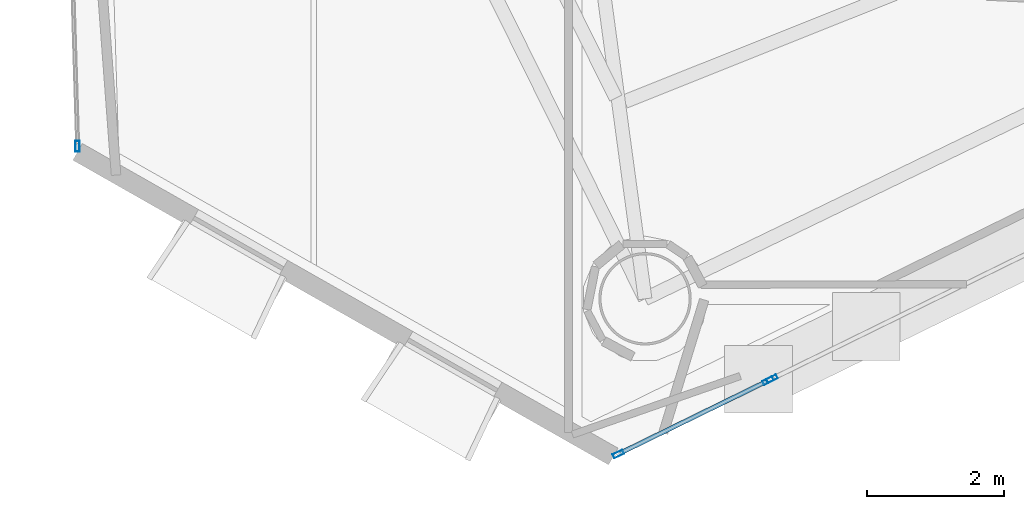
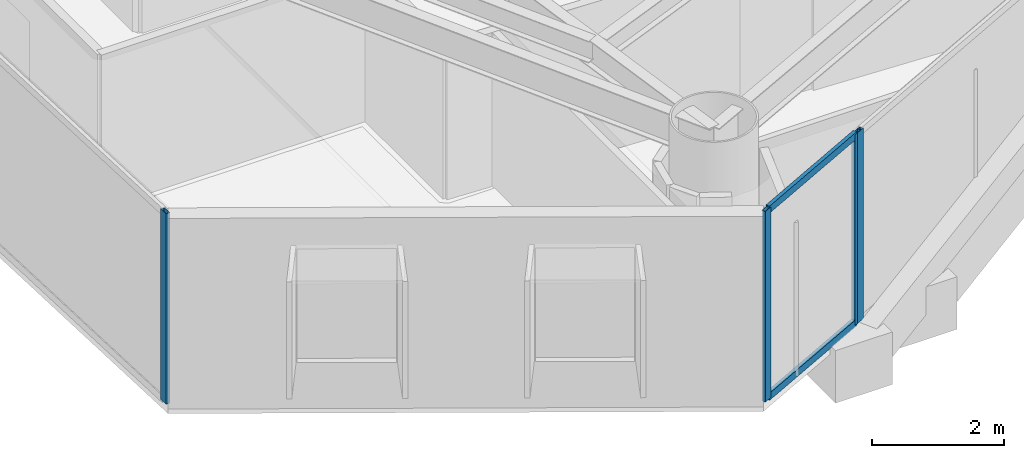
# One storey, part 2 of 22: 6 members, 3 elements without a shape of their own.
"""IFC4 building model written with IfcOpenShell, lengths in metres."""

from ifc_helpers import new_model, si_unit, direction, frame, origin, origin_2d, place, context, subcontext, project, spatial, hollow_rectangle, extrude, material, layer, layer_set, material_profile, profile_set, type_object, element, aggregate, save


model = new_model("IFC4")

# Units and contexts
model_context = context("Model", 3, precision=1e-05, world=origin(), true_north=direction((0.0, 1.0)))
body_context = subcontext(model_context, "Body", "Model", "MODEL_VIEW")
ifc_project = project(units=[si_unit("LENGTHUNIT", "METRE"), si_unit("AREAUNIT", "SQUARE_METRE"), si_unit("VOLUMEUNIT", "CUBIC_METRE"), si_unit("PLANEANGLEUNIT", "RADIAN"), si_unit("MASSUNIT", "GRAM", prefix="KILO")], contexts=[model_context])

# Site, building, storey
site_placement = place(None, origin())
site = spatial("IfcSite", under=ifc_project, at=site_placement, CompositionType="ELEMENT")
building_placement = place(site_placement, origin())
building = spatial("IfcBuilding", under=site, at=building_placement, Name="Qianvela Tower", CompositionType="ELEMENT")
storey_placement = place(building_placement, frame((0.0, 0.0, 155.0)))
storey = spatial("IfcBuildingStorey", under=building, at=storey_placement, Name="L39", CompositionType="ELEMENT", Elevation=155.0)

# Curtain wall, member
ifc_material_1 = material(Name="Anodised Architectural Aluminium and Insulated Spandrel Panel", Category="aluminium")
ifc_layer_1 = layer(ifc_material_1, 0.179931640625)
ifc_layer_set_1 = layer_set([ifc_layer_1], Name="Anodised Architectural Aluminium and Insulated Spandrel Panel")
curtain_wall_type_1 = type_object("IfcCurtainWallType", Name="CW-BRACEBAY", PredefinedType="USERDEFINED", material=ifc_layer_set_1)
curtain_wall_1_placement = place(storey_placement, origin())
curtain_wall_1 = element("IfcCurtainWall", 1, at=curtain_wall_1_placement, inside=storey, type_object=curtain_wall_type_1, Name="L39 CW-BRACEBAY Curtain Wall 06B", ObjectType="CURTAIN_WALL_SYSTEM", PredefinedType="USERDEFINED")
ifc_material_2 = material(Name="Anodised Architectural Aluminium 6063-T6", Category="aluminium")
ifc_material_profile_1 = material_profile(ifc_material_2, hollow_rectangle(XDim=0.06494140625, YDim=0.159912109375, WallThickness=0.0048828125, at=origin_2d()), Name="ALU-MULL-65x160")
ifc_profile_set_1 = profile_set([ifc_material_profile_1], Name="Anodised Architectural Aluminium 6063-T6")
member_type_1 = type_object("IfcMemberType", Name="CW-BRACEBAY-MULL", PredefinedType="MULLION", material=ifc_profile_set_1)
member_1_placement = place(storey_placement, frame((32.2021484375, 9.74169921875, 0.0), z_axis=(0.0, 0.0, 1.0), x_axis=(-0.440141010415, 0.897928666961, 0.0)))
member_1 = element("IfcMember", 2, at=member_1_placement, type_object=member_type_1, Name="CW-9 mullion 1", PredefinedType="MULLION", context=body_context, shape_type="SweptSolid", body=[
    extrude(hollow_rectangle(XDim=0.06494140625, YDim=0.159912109375, WallThickness=0.0048828125, at=origin_2d()), origin(), (0.0, 0.0, 1.0), 3.52001953125),
])
aggregate(curtain_wall_1, [member_1])

ifc_material_3 = material(Name="Anodised Architectural Aluminium and Low-E Glass", Category="aluminium")
ifc_layer_2 = layer(ifc_material_3, 0.169921875)
ifc_layer_set_2 = layer_set([ifc_layer_2], Name="Anodised Architectural Aluminium and Low-E Glass")
curtain_wall_type_2 = type_object("IfcCurtainWallType", Name="CW-COLIV-Z34", PredefinedType="USERDEFINED", material=ifc_layer_set_2)
curtain_wall_2_placement = place(storey_placement, origin())
curtain_wall_2 = element("IfcCurtainWall", 3, at=curtain_wall_2_placement, inside=storey, type_object=curtain_wall_type_2, Name="L39 CW-COLIV-Z34 Curtain Wall 04C", ObjectType="CURTAIN_WALL_SYSTEM", PredefinedType="USERDEFINED")
ifc_material_4 = material(Name="Anodised Architectural Aluminium 6063-T6", Category="aluminium")
ifc_material_profile_2 = material_profile(ifc_material_4, hollow_rectangle(XDim=0.06494140625, YDim=0.159912109375, WallThickness=0.0048828125, at=origin_2d()), Name="ALU-MULL-65x160")
ifc_profile_set_2 = profile_set([ifc_material_profile_2], Name="Anodised Architectural Aluminium 6063-T6")
member_type_2 = type_object("IfcMemberType", Name="CW-COLIV-Z34-MULL", PredefinedType="MULLION", material=ifc_profile_set_2)
member_2_placement = place(storey_placement, frame((22.053955078125, 13.138671875, 0.0), z_axis=(0.0, 0.0, 1.0), x_axis=(0.999528047794, 0.030719402241, 0.0)))
member_2 = element("IfcMember", 4, at=member_2_placement, type_object=member_type_2, Name="CW-4 mullion 2", PredefinedType="MULLION", context=body_context, shape_type="SweptSolid", body=[
    extrude(hollow_rectangle(XDim=0.06494140625, YDim=0.159912109375, WallThickness=0.0048828125, at=origin_2d()), origin(), (0.0, 0.0, 1.0), 3.52001953125),
])
aggregate(curtain_wall_2, [member_2])

# Curtain wall, members
curtain_wall_3_placement = place(storey_placement, origin())
curtain_wall_3 = element("IfcCurtainWall", 5, at=curtain_wall_3_placement, inside=storey, type_object=curtain_wall_type_2, Name="L39 CW-COLIV-Z34 Curtain Wall 06A", ObjectType="CURTAIN_WALL_SYSTEM", PredefinedType="USERDEFINED")
member_3_placement = place(storey_placement, frame((29.957275390625, 8.641357421875, 0.0), z_axis=(0.0, 0.0, 1.0), x_axis=(-0.440159746472, 0.897919482797, 0.0)))
member_3 = element("IfcMember", 6, at=member_3_placement, type_object=member_type_2, Name="CW-4 mullion 1", PredefinedType="MULLION", context=body_context, shape_type="SweptSolid", body=[
    extrude(hollow_rectangle(XDim=0.06494140625, YDim=0.159912109375, WallThickness=0.0048828125, at=origin_2d()), origin(), (0.0, 0.0, 1.0), 3.52001953125),
])
member_4_placement = place(storey_placement, frame((32.143798828125, 9.713134765625, 0.0), z_axis=(0.0, 0.0, 1.0), x_axis=(-0.440159746472, 0.897919482797, 0.0)))
member_4 = element("IfcMember", 7, at=member_4_placement, type_object=member_type_2, Name="CW-4 mullion 2", PredefinedType="MULLION", context=body_context, shape_type="SweptSolid", body=[
    extrude(hollow_rectangle(XDim=0.06494140625, YDim=0.159912109375, WallThickness=0.0048828125, at=origin_2d()), origin(), (0.0, 0.0, 1.0), 3.52001953125),
])
ifc_material_5 = material(Name="Anodised Architectural Aluminium 6063-T6", Category="aluminium")
ifc_material_profile_3 = material_profile(ifc_material_5, hollow_rectangle(XDim=0.06494140625, YDim=0.1298828125, WallThickness=0.00439453125, at=origin_2d()), Name="ALU-TRAN-65x130")
ifc_profile_set_3 = profile_set([ifc_material_profile_3], Name="Anodised Architectural Aluminium 6063-T6")
member_type_3 = type_object("IfcMemberType", Name="CW-COLIV-Z34-TRAN", PredefinedType="USERDEFINED", material=ifc_profile_set_3)
member_5_placement = place(storey_placement, frame((29.986572265625, 8.65576171875, 0.032470703125), z_axis=(0.897922319252, 0.440153960097, 0.0), x_axis=(-0.440153960097, 0.897922319252, 0.0)))
member_5 = element("IfcMember", 8, at=member_5_placement, type_object=member_type_3, Name="CW-4 transom 1.1", ObjectType="TRANSOM", PredefinedType="USERDEFINED", context=body_context, shape_type="SweptSolid", body=[
    extrude(hollow_rectangle(XDim=0.06494140625, YDim=0.1298828125, WallThickness=0.00439453125, at=origin_2d()), origin(), (0.0, 0.0, 1.0), 2.3701171875),
])
member_6_placement = place(storey_placement, frame((29.986572265625, 8.65576171875, 3.487548828125), z_axis=(0.897922319252, 0.440153960097, 0.0), x_axis=(-0.440153960097, 0.897922319252, 0.0)))
member_6 = element("IfcMember", 9, at=member_6_placement, type_object=member_type_3, Name="CW-4 transom 1.2", ObjectType="TRANSOM", PredefinedType="USERDEFINED", context=body_context, shape_type="SweptSolid", body=[
    extrude(hollow_rectangle(XDim=0.06494140625, YDim=0.1298828125, WallThickness=0.00439453125, at=origin_2d()), origin(), (0.0, 0.0, 1.0), 2.3701171875),
])
aggregate(curtain_wall_3, [member_3, member_4, member_5, member_6])

save(model, "model.ifc")
